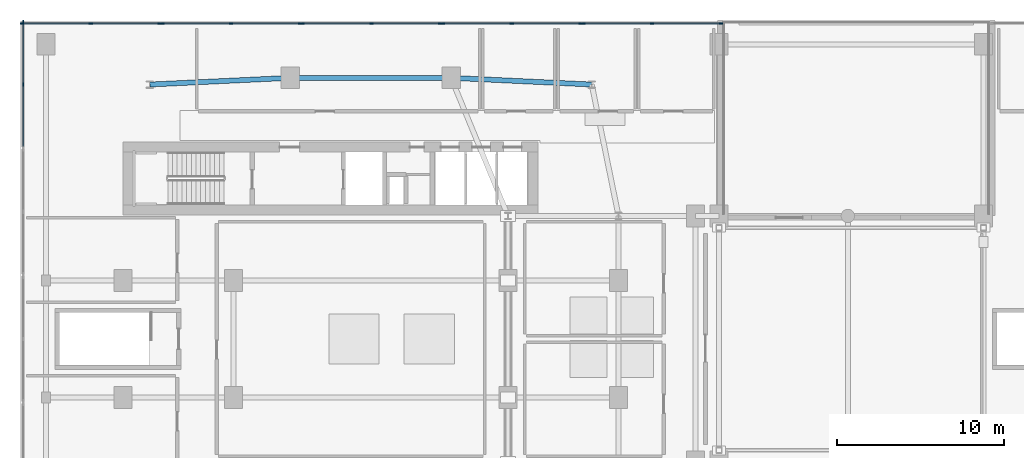
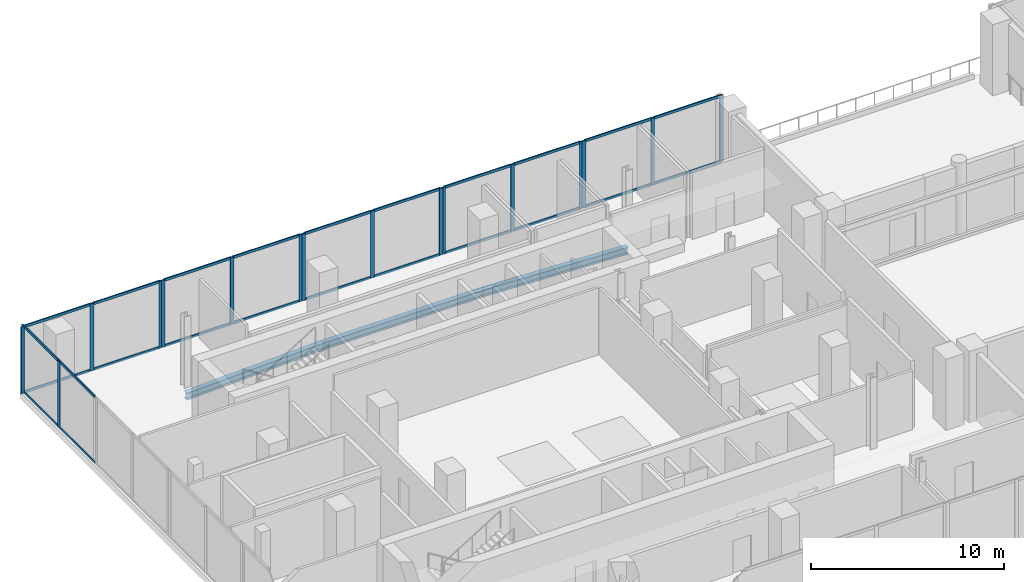
# One storey, part 8 of 21: 41 members, 3 beams, 6 elements without a shape of their own.
"""IFC4 building model written with IfcOpenShell, lengths in metres."""

from ifc_helpers import new_model, si_unit, derived_unit, direction, frame, origin, origin_2d, place, context, subcontext, project, spatial, rectangle, i_section, extrude, material, layer, layer_set, material_profile, profile_set, type_object, element, aggregate, save


model = new_model("IFC4")

# Units and contexts
model_context = context("Model", 3, precision=1e-05, world=origin(), true_north=direction((0.0, 1.0)))
body_context = subcontext(model_context, "Body", "Model", "MODEL_VIEW")
ifc_project = project(units=[si_unit("LENGTHUNIT", "METRE"), si_unit("AREAUNIT", "SQUARE_METRE"), si_unit("VOLUMEUNIT", "CUBIC_METRE"), si_unit("PLANEANGLEUNIT", "RADIAN"), si_unit("MASSUNIT", "GRAM", prefix="KILO"), derived_unit("THERMALTRANSMITTANCEUNIT", [(si_unit("POWERUNIT", "WATT"), 1), (si_unit("LENGTHUNIT", "METRE"), -2), (si_unit("THERMODYNAMICTEMPERATUREUNIT", "KELVIN"), -1)])], contexts=[model_context])

# Site, building, storey
site_placement = place(None, origin())
site = spatial("IfcSite", under=ifc_project, at=site_placement, CompositionType="ELEMENT")
building_placement = place(site_placement, origin())
building = spatial("IfcBuilding", under=site, at=building_placement, Name="Kivonza Crest Hotel", CompositionType="ELEMENT")
storey_placement = place(building_placement, frame((0.0, 0.0, 19.5)))
storey = spatial("IfcBuildingStorey", under=building, at=storey_placement, Name="L04", CompositionType="ELEMENT", Elevation=19.5)

# Beams
ifc_material_1 = material(Name="Steel S355", Category="steel")
ifc_material_profile_1 = material_profile(ifc_material_1, i_section(OverallWidth=0.300048828125, OverallDepth=0.449951171875, WebThickness=0.013916015625, FlangeThickness=0.02587890625, FilletRadius=0.027099609375, at=origin_2d()), Name="HEB 450")
ifc_profile_set_1 = profile_set([ifc_material_profile_1], Name="Steel S355")
beam_type = type_object("IfcBeamType", Name="BM-HEB450", PredefinedType="SPANDREL", material=ifc_profile_set_1)
beam_1_placement = place(storey_placement, frame((34.199951171875, 40.199951171875, -0.625), z_axis=(-0.998867283688, 0.047583080799, 0.0), x_axis=(-0.047583080799, -0.998867283688, 0.0)))
element("IfcBeam", 1, at=beam_1_placement, inside=storey, type_object=beam_type, Name="Tower T1 L04 perimeter spandrel NE-N2", PredefinedType="SPANDREL", context=body_context, shape_type="SweptSolid", body=[
    extrude(i_section(OverallWidth=0.300048828125, OverallDepth=0.449951171875, WebThickness=0.013916015625, FlangeThickness=0.02587890625, FilletRadius=0.027099609375, at=origin_2d()), origin(), (0.0, 0.0, 1.0), 8.409423828125),
])
beam_2_placement = place(storey_placement, frame((25.800048828125, 40.60009765625, -0.625), z_axis=(-1.0, 0.0, 0.0), x_axis=(0.0, -1.0, 0.0)))
element("IfcBeam", 2, at=beam_2_placement, inside=storey, type_object=beam_type, Name="Tower T1 L04 perimeter spandrel N2-N1", PredefinedType="SPANDREL", context=body_context, shape_type="SweptSolid", body=[
    extrude(i_section(OverallWidth=0.300048828125, OverallDepth=0.449951171875, WebThickness=0.013916015625, FlangeThickness=0.02587890625, FilletRadius=0.027099609375, at=origin_2d()), origin(), (0.0, 0.0, 1.0), 9.60009765625),
])
beam_3_placement = place(storey_placement, frame((16.199951171875, 40.60009765625, -0.625), z_axis=(-0.998867283688, -0.047583080799, 0.0), x_axis=(0.047583080799, -0.998867283688, 0.0)))
element("IfcBeam", 3, at=beam_3_placement, inside=storey, type_object=beam_type, Name="Tower T1 L04 perimeter spandrel N1-NW", PredefinedType="SPANDREL", context=body_context, shape_type="SweptSolid", body=[
    extrude(i_section(OverallWidth=0.300048828125, OverallDepth=0.449951171875, WebThickness=0.013916015625, FlangeThickness=0.02587890625, FilletRadius=0.027099609375, at=origin_2d()), origin(), (0.0, 0.0, 1.0), 8.409423828125),
])

# Curtain wall, members
ifc_material_2 = material(Name="Anodised bronze aluminium and low-E double glazing", Category="aluminium")
ifc_layer = layer(ifc_material_2, 0.199951171875)
ifc_layer_set = layer_set([ifc_layer], Name="Anodised bronze aluminium and low-E double glazing")
curtain_wall_type = type_object("IfcCurtainWallType", Name="CW-SYS-6", PredefinedType="NOTDEFINED", material=ifc_layer_set)
curtain_wall_1_placement = place(storey_placement, origin())
curtain_wall_1 = element("IfcCurtainWall", 4, at=curtain_wall_1_placement, inside=storey, type_object=curtain_wall_type, Name="L04 unitised curtain wall CW-POD-L04-31", PredefinedType="NOTDEFINED")
ifc_material_3 = material(Name="Anodised bronze aluminium", Category="aluminium")
ifc_material_profile_2 = material_profile(ifc_material_3, rectangle(XDim=0.074951171875, YDim=0.219970703125, at=origin_2d()), Name="CW-M 75x220")
ifc_profile_set_2 = profile_set([ifc_material_profile_2], Name="Anodised bronze aluminium")
member_type_1 = type_object("IfcMemberType", Name="CW-MUL-75x220", PredefinedType="MULLION", material=ifc_profile_set_2)
member_1_placement = place(storey_placement, frame((41.922607421875, 43.840087890625, 0.0), z_axis=(0.0, 0.0, 1.0), x_axis=(0.0, -1.0, 0.0)))
member_1 = element("IfcMember", 5, at=member_1_placement, type_object=member_type_1, Name="CW-6 mullion 1", PredefinedType="MULLION", context=body_context, shape_type="SweptSolid", body=[
    extrude(rectangle(XDim=0.074951171875, YDim=0.219970703125, at=origin_2d()), origin(), (0.0, 0.0, 1.0), 4.219970703125),
])
member_2_placement = place(storey_placement, frame((37.80810546875, 43.840087890625, 0.0), z_axis=(0.0, 0.0, 1.0), x_axis=(0.0, -1.0, 0.0)))
member_2 = element("IfcMember", 6, at=member_2_placement, type_object=member_type_1, Name="CW-6 mullion 2", PredefinedType="MULLION", context=body_context, shape_type="SweptSolid", body=[
    extrude(rectangle(XDim=0.074951171875, YDim=0.219970703125, at=origin_2d()), origin(), (0.0, 0.0, 1.0), 4.219970703125),
])
member_3_placement = place(storey_placement, frame((33.693603515625, 43.840087890625, 0.0), z_axis=(0.0, 0.0, 1.0), x_axis=(0.0, -1.0, 0.0)))
member_3 = element("IfcMember", 7, at=member_3_placement, type_object=member_type_1, Name="CW-6 mullion 3", PredefinedType="MULLION", context=body_context, shape_type="SweptSolid", body=[
    extrude(rectangle(XDim=0.074951171875, YDim=0.219970703125, at=origin_2d()), origin(), (0.0, 0.0, 1.0), 4.219970703125),
])

curtain_wall_2_placement = place(storey_placement, origin())
curtain_wall_2 = element("IfcCurtainWall", 8, at=curtain_wall_2_placement, inside=storey, type_object=curtain_wall_type, Name="L04 unitised curtain wall CW-POD-L04-32", PredefinedType="NOTDEFINED")
member_4_placement = place(storey_placement, frame((33.53857421875, 43.840087890625, 0.0), z_axis=(0.0, 0.0, 1.0), x_axis=(0.0, -1.0, 0.0)))
member_4 = element("IfcMember", 9, at=member_4_placement, type_object=member_type_1, Name="CW-6 mullion 1", PredefinedType="MULLION", context=body_context, shape_type="SweptSolid", body=[
    extrude(rectangle(XDim=0.074951171875, YDim=0.219970703125, at=origin_2d()), origin(), (0.0, 0.0, 1.0), 4.219970703125),
])
member_5_placement = place(storey_placement, frame((29.424072265625, 43.840087890625, 0.0), z_axis=(0.0, 0.0, 1.0), x_axis=(0.0, -1.0, 0.0)))
member_5 = element("IfcMember", 10, at=member_5_placement, type_object=member_type_1, Name="CW-6 mullion 2", PredefinedType="MULLION", context=body_context, shape_type="SweptSolid", body=[
    extrude(rectangle(XDim=0.074951171875, YDim=0.219970703125, at=origin_2d()), origin(), (0.0, 0.0, 1.0), 4.219970703125),
])
member_6_placement = place(storey_placement, frame((25.3095703125, 43.840087890625, 0.0), z_axis=(0.0, 0.0, 1.0), x_axis=(0.0, -1.0, 0.0)))
member_6 = element("IfcMember", 11, at=member_6_placement, type_object=member_type_1, Name="CW-6 mullion 3", PredefinedType="MULLION", context=body_context, shape_type="SweptSolid", body=[
    extrude(rectangle(XDim=0.074951171875, YDim=0.219970703125, at=origin_2d()), origin(), (0.0, 0.0, 1.0), 4.219970703125),
])

curtain_wall_3_placement = place(storey_placement, origin())
curtain_wall_3 = element("IfcCurtainWall", 12, at=curtain_wall_3_placement, inside=storey, type_object=curtain_wall_type, Name="L04 unitised curtain wall CW-POD-L04-33", PredefinedType="NOTDEFINED")
member_7_placement = place(storey_placement, frame((25.154541015625, 43.840087890625, 0.0), z_axis=(0.0, 0.0, 1.0), x_axis=(0.0, -1.0, 0.0)))
member_7 = element("IfcMember", 13, at=member_7_placement, type_object=member_type_1, Name="CW-6 mullion 1", PredefinedType="MULLION", context=body_context, shape_type="SweptSolid", body=[
    extrude(rectangle(XDim=0.074951171875, YDim=0.219970703125, at=origin_2d()), origin(), (0.0, 0.0, 1.0), 4.219970703125),
])
member_8_placement = place(storey_placement, frame((21.0400390625, 43.840087890625, 0.0), z_axis=(0.0, 0.0, 1.0), x_axis=(0.0, -1.0, 0.0)))
member_8 = element("IfcMember", 14, at=member_8_placement, type_object=member_type_1, Name="CW-6 mullion 2", PredefinedType="MULLION", context=body_context, shape_type="SweptSolid", body=[
    extrude(rectangle(XDim=0.074951171875, YDim=0.219970703125, at=origin_2d()), origin(), (0.0, 0.0, 1.0), 4.219970703125),
])
member_9_placement = place(storey_placement, frame((16.925537109375, 43.840087890625, 0.0), z_axis=(0.0, 0.0, 1.0), x_axis=(0.0, -1.0, 0.0)))
member_9 = element("IfcMember", 15, at=member_9_placement, type_object=member_type_1, Name="CW-6 mullion 3", PredefinedType="MULLION", context=body_context, shape_type="SweptSolid", body=[
    extrude(rectangle(XDim=0.074951171875, YDim=0.219970703125, at=origin_2d()), origin(), (0.0, 0.0, 1.0), 4.219970703125),
])

curtain_wall_4_placement = place(storey_placement, origin())
curtain_wall_4 = element("IfcCurtainWall", 16, at=curtain_wall_4_placement, inside=storey, type_object=curtain_wall_type, Name="L04 unitised curtain wall CW-POD-L04-34", PredefinedType="NOTDEFINED")
member_10_placement = place(storey_placement, frame((16.7705078125, 43.840087890625, 0.0), z_axis=(0.0, 0.0, 1.0), x_axis=(0.0, -1.0, 0.0)))
member_10 = element("IfcMember", 17, at=member_10_placement, type_object=member_type_1, Name="CW-6 mullion 1", PredefinedType="MULLION", context=body_context, shape_type="SweptSolid", body=[
    extrude(rectangle(XDim=0.074951171875, YDim=0.219970703125, at=origin_2d()), origin(), (0.0, 0.0, 1.0), 4.219970703125),
])
member_11_placement = place(storey_placement, frame((12.656005859375, 43.840087890625, 0.0), z_axis=(0.0, 0.0, 1.0), x_axis=(0.0, -1.0, 0.0)))
member_11 = element("IfcMember", 18, at=member_11_placement, type_object=member_type_1, Name="CW-6 mullion 2", PredefinedType="MULLION", context=body_context, shape_type="SweptSolid", body=[
    extrude(rectangle(XDim=0.074951171875, YDim=0.219970703125, at=origin_2d()), origin(), (0.0, 0.0, 1.0), 4.219970703125),
])
member_12_placement = place(storey_placement, frame((8.54150390625, 43.840087890625, 0.0), z_axis=(0.0, 0.0, 1.0), x_axis=(0.0, -1.0, 0.0)))
member_12 = element("IfcMember", 19, at=member_12_placement, type_object=member_type_1, Name="CW-6 mullion 3", PredefinedType="MULLION", context=body_context, shape_type="SweptSolid", body=[
    extrude(rectangle(XDim=0.074951171875, YDim=0.219970703125, at=origin_2d()), origin(), (0.0, 0.0, 1.0), 4.219970703125),
])

curtain_wall_5_placement = place(storey_placement, origin())
curtain_wall_5 = element("IfcCurtainWall", 20, at=curtain_wall_5_placement, inside=storey, type_object=curtain_wall_type, Name="L04 unitised curtain wall CW-POD-L04-35", PredefinedType="NOTDEFINED")
member_13_placement = place(storey_placement, frame((8.386474609375, 43.840087890625, 0.0), z_axis=(0.0, 0.0, 1.0), x_axis=(0.0, -1.0, 0.0)))
member_13 = element("IfcMember", 21, at=member_13_placement, type_object=member_type_1, Name="CW-6 mullion 1", PredefinedType="MULLION", context=body_context, shape_type="SweptSolid", body=[
    extrude(rectangle(XDim=0.074951171875, YDim=0.219970703125, at=origin_2d()), origin(), (0.0, 0.0, 1.0), 4.219970703125),
])
member_14_placement = place(storey_placement, frame((4.27197265625, 43.840087890625, 0.0), z_axis=(0.0, 0.0, 1.0), x_axis=(0.0, -1.0, 0.0)))
member_14 = element("IfcMember", 22, at=member_14_placement, type_object=member_type_1, Name="CW-6 mullion 2", PredefinedType="MULLION", context=body_context, shape_type="SweptSolid", body=[
    extrude(rectangle(XDim=0.074951171875, YDim=0.219970703125, at=origin_2d()), origin(), (0.0, 0.0, 1.0), 4.219970703125),
])
member_15_placement = place(storey_placement, frame((0.157470703125, 43.840087890625, 0.0), z_axis=(0.0, 0.0, 1.0), x_axis=(0.0, -1.0, 0.0)))
member_15 = element("IfcMember", 23, at=member_15_placement, type_object=member_type_1, Name="CW-6 mullion 3", PredefinedType="MULLION", context=body_context, shape_type="SweptSolid", body=[
    extrude(rectangle(XDim=0.074951171875, YDim=0.219970703125, at=origin_2d()), origin(), (0.0, 0.0, 1.0), 4.219970703125),
])

curtain_wall_6_placement = place(storey_placement, origin())
curtain_wall_6 = element("IfcCurtainWall", 24, at=curtain_wall_6_placement, inside=storey, type_object=curtain_wall_type, Name="L04 unitised curtain wall CW-POD-L04-36", PredefinedType="NOTDEFINED")
member_16_placement = place(storey_placement, frame((0.239990234375, 43.922607421875, 0.0), z_axis=(0.0, 0.0, 1.0), x_axis=(1.0, 0.0, 0.0)))
member_16 = element("IfcMember", 25, at=member_16_placement, type_object=member_type_1, Name="CW-6 mullion 1", PredefinedType="MULLION", context=body_context, shape_type="SweptSolid", body=[
    extrude(rectangle(XDim=0.074951171875, YDim=0.219970703125, at=origin_2d()), origin(), (0.0, 0.0, 1.0), 4.219970703125),
])
member_17_placement = place(storey_placement, frame((0.239990234375, 40.199951171875, 0.0), z_axis=(0.0, 0.0, 1.0), x_axis=(1.0, 0.0, 0.0)))
member_17 = element("IfcMember", 26, at=member_17_placement, type_object=member_type_1, Name="CW-6 mullion 2", PredefinedType="MULLION", context=body_context, shape_type="SweptSolid", body=[
    extrude(rectangle(XDim=0.074951171875, YDim=0.219970703125, at=origin_2d()), origin(), (0.0, 0.0, 1.0), 4.219970703125),
])

# Member
ifc_material_profile_3 = material_profile(ifc_material_3, rectangle(XDim=0.074951171875, YDim=0.159912109375, at=origin_2d()), Name="CW-T 75x160")
ifc_profile_set_3 = profile_set([ifc_material_profile_3], Name="Anodised bronze aluminium")
member_type_2 = type_object("IfcMemberType", Name="CW-TRN-75x160", PredefinedType="USERDEFINED", material=ifc_profile_set_3)
member_18_placement = place(storey_placement, frame((41.885009765625, 43.840087890625, 0.03759765625), z_axis=(-1.0, 0.0, 0.0), x_axis=(0.0, -1.0, 0.0)))
member_18 = element("IfcMember", 27, at=member_18_placement, type_object=member_type_2, Name="CW-6 transom 1.1", ObjectType="TRANSOM", PredefinedType="USERDEFINED", context=body_context, shape_type="SweptSolid", body=[
    extrude(rectangle(XDim=0.074951171875, YDim=0.159912109375, at=origin_2d()), origin(), (0.0, 0.0, 1.0), 4.03955078125),
])

member_19_placement = place(storey_placement, frame((41.885009765625, 43.840087890625, 4.1826171875), z_axis=(-1.0, 0.0, 0.0), x_axis=(0.0, -1.0, 0.0)))
member_19 = element("IfcMember", 28, at=member_19_placement, type_object=member_type_2, Name="CW-6 transom 1.2", ObjectType="TRANSOM", PredefinedType="USERDEFINED", context=body_context, shape_type="SweptSolid", body=[
    extrude(rectangle(XDim=0.074951171875, YDim=0.159912109375, at=origin_2d()), origin(), (0.0, 0.0, 1.0), 4.03955078125),
])

member_20_placement = place(storey_placement, frame((37.7705078125, 43.840087890625, 0.03759765625), z_axis=(-1.0, 0.0, 0.0), x_axis=(0.0, -1.0, 0.0)))
member_20 = element("IfcMember", 29, at=member_20_placement, type_object=member_type_2, Name="CW-6 transom 2.1", ObjectType="TRANSOM", PredefinedType="USERDEFINED", context=body_context, shape_type="SweptSolid", body=[
    extrude(rectangle(XDim=0.074951171875, YDim=0.159912109375, at=origin_2d()), origin(), (0.0, 0.0, 1.0), 4.03955078125),
])

member_21_placement = place(storey_placement, frame((37.7705078125, 43.840087890625, 4.1826171875), z_axis=(-1.0, 0.0, 0.0), x_axis=(0.0, -1.0, 0.0)))
member_21 = element("IfcMember", 30, at=member_21_placement, type_object=member_type_2, Name="CW-6 transom 2.2", ObjectType="TRANSOM", PredefinedType="USERDEFINED", context=body_context, shape_type="SweptSolid", body=[
    extrude(rectangle(XDim=0.074951171875, YDim=0.159912109375, at=origin_2d()), origin(), (0.0, 0.0, 1.0), 4.03955078125),
])

aggregate(curtain_wall_1, [member_1, member_2, member_3, member_18, member_19, member_20, member_21])

member_22_placement = place(storey_placement, frame((33.5009765625, 43.840087890625, 0.03759765625), z_axis=(-1.0, 0.0, 0.0), x_axis=(0.0, -1.0, 0.0)))
member_22 = element("IfcMember", 31, at=member_22_placement, type_object=member_type_2, Name="CW-6 transom 1.1", ObjectType="TRANSOM", PredefinedType="USERDEFINED", context=body_context, shape_type="SweptSolid", body=[
    extrude(rectangle(XDim=0.074951171875, YDim=0.159912109375, at=origin_2d()), origin(), (0.0, 0.0, 1.0), 4.03955078125),
])

member_23_placement = place(storey_placement, frame((33.5009765625, 43.840087890625, 4.1826171875), z_axis=(-1.0, 0.0, 0.0), x_axis=(0.0, -1.0, 0.0)))
member_23 = element("IfcMember", 32, at=member_23_placement, type_object=member_type_2, Name="CW-6 transom 1.2", ObjectType="TRANSOM", PredefinedType="USERDEFINED", context=body_context, shape_type="SweptSolid", body=[
    extrude(rectangle(XDim=0.074951171875, YDim=0.159912109375, at=origin_2d()), origin(), (0.0, 0.0, 1.0), 4.03955078125),
])

member_24_placement = place(storey_placement, frame((29.386474609375, 43.840087890625, 0.03759765625), z_axis=(-1.0, 0.0, 0.0), x_axis=(0.0, -1.0, 0.0)))
member_24 = element("IfcMember", 33, at=member_24_placement, type_object=member_type_2, Name="CW-6 transom 2.1", ObjectType="TRANSOM", PredefinedType="USERDEFINED", context=body_context, shape_type="SweptSolid", body=[
    extrude(rectangle(XDim=0.074951171875, YDim=0.159912109375, at=origin_2d()), origin(), (0.0, 0.0, 1.0), 4.03955078125),
])

member_25_placement = place(storey_placement, frame((29.386474609375, 43.840087890625, 4.1826171875), z_axis=(-1.0, 0.0, 0.0), x_axis=(0.0, -1.0, 0.0)))
member_25 = element("IfcMember", 34, at=member_25_placement, type_object=member_type_2, Name="CW-6 transom 2.2", ObjectType="TRANSOM", PredefinedType="USERDEFINED", context=body_context, shape_type="SweptSolid", body=[
    extrude(rectangle(XDim=0.074951171875, YDim=0.159912109375, at=origin_2d()), origin(), (0.0, 0.0, 1.0), 4.03955078125),
])

aggregate(curtain_wall_2, [member_4, member_5, member_6, member_22, member_23, member_24, member_25])

member_26_placement = place(storey_placement, frame((25.116943359375, 43.840087890625, 0.03759765625), z_axis=(-1.0, 0.0, 0.0), x_axis=(0.0, -1.0, 0.0)))
member_26 = element("IfcMember", 35, at=member_26_placement, type_object=member_type_2, Name="CW-6 transom 1.1", ObjectType="TRANSOM", PredefinedType="USERDEFINED", context=body_context, shape_type="SweptSolid", body=[
    extrude(rectangle(XDim=0.074951171875, YDim=0.159912109375, at=origin_2d()), origin(), (0.0, 0.0, 1.0), 4.03955078125),
])

member_27_placement = place(storey_placement, frame((25.116943359375, 43.840087890625, 4.1826171875), z_axis=(-1.0, 0.0, 0.0), x_axis=(0.0, -1.0, 0.0)))
member_27 = element("IfcMember", 36, at=member_27_placement, type_object=member_type_2, Name="CW-6 transom 1.2", ObjectType="TRANSOM", PredefinedType="USERDEFINED", context=body_context, shape_type="SweptSolid", body=[
    extrude(rectangle(XDim=0.074951171875, YDim=0.159912109375, at=origin_2d()), origin(), (0.0, 0.0, 1.0), 4.03955078125),
])

member_28_placement = place(storey_placement, frame((21.00244140625, 43.840087890625, 0.03759765625), z_axis=(-1.0, 0.0, 0.0), x_axis=(0.0, -1.0, 0.0)))
member_28 = element("IfcMember", 37, at=member_28_placement, type_object=member_type_2, Name="CW-6 transom 2.1", ObjectType="TRANSOM", PredefinedType="USERDEFINED", context=body_context, shape_type="SweptSolid", body=[
    extrude(rectangle(XDim=0.074951171875, YDim=0.159912109375, at=origin_2d()), origin(), (0.0, 0.0, 1.0), 4.03955078125),
])

member_29_placement = place(storey_placement, frame((21.00244140625, 43.840087890625, 4.1826171875), z_axis=(-1.0, 0.0, 0.0), x_axis=(0.0, -1.0, 0.0)))
member_29 = element("IfcMember", 38, at=member_29_placement, type_object=member_type_2, Name="CW-6 transom 2.2", ObjectType="TRANSOM", PredefinedType="USERDEFINED", context=body_context, shape_type="SweptSolid", body=[
    extrude(rectangle(XDim=0.074951171875, YDim=0.159912109375, at=origin_2d()), origin(), (0.0, 0.0, 1.0), 4.03955078125),
])

aggregate(curtain_wall_3, [member_7, member_8, member_9, member_26, member_27, member_28, member_29])

member_30_placement = place(storey_placement, frame((16.73291015625, 43.840087890625, 0.03759765625), z_axis=(-1.0, 0.0, 0.0), x_axis=(0.0, -1.0, 0.0)))
member_30 = element("IfcMember", 39, at=member_30_placement, type_object=member_type_2, Name="CW-6 transom 1.1", ObjectType="TRANSOM", PredefinedType="USERDEFINED", context=body_context, shape_type="SweptSolid", body=[
    extrude(rectangle(XDim=0.074951171875, YDim=0.159912109375, at=origin_2d()), origin(), (0.0, 0.0, 1.0), 4.039306640625),
])

member_31_placement = place(storey_placement, frame((16.73291015625, 43.840087890625, 4.1826171875), z_axis=(-1.0, 0.0, 0.0), x_axis=(0.0, -1.0, 0.0)))
member_31 = element("IfcMember", 40, at=member_31_placement, type_object=member_type_2, Name="CW-6 transom 1.2", ObjectType="TRANSOM", PredefinedType="USERDEFINED", context=body_context, shape_type="SweptSolid", body=[
    extrude(rectangle(XDim=0.074951171875, YDim=0.159912109375, at=origin_2d()), origin(), (0.0, 0.0, 1.0), 4.039306640625),
])

member_32_placement = place(storey_placement, frame((12.618408203125, 43.840087890625, 0.03759765625), z_axis=(-1.0, 0.0, 0.0), x_axis=(0.0, -1.0, 0.0)))
member_32 = element("IfcMember", 41, at=member_32_placement, type_object=member_type_2, Name="CW-6 transom 2.1", ObjectType="TRANSOM", PredefinedType="USERDEFINED", context=body_context, shape_type="SweptSolid", body=[
    extrude(rectangle(XDim=0.074951171875, YDim=0.159912109375, at=origin_2d()), origin(), (0.0, 0.0, 1.0), 4.039306640625),
])

member_33_placement = place(storey_placement, frame((12.618408203125, 43.840087890625, 4.1826171875), z_axis=(-1.0, 0.0, 0.0), x_axis=(0.0, -1.0, 0.0)))
member_33 = element("IfcMember", 42, at=member_33_placement, type_object=member_type_2, Name="CW-6 transom 2.2", ObjectType="TRANSOM", PredefinedType="USERDEFINED", context=body_context, shape_type="SweptSolid", body=[
    extrude(rectangle(XDim=0.074951171875, YDim=0.159912109375, at=origin_2d()), origin(), (0.0, 0.0, 1.0), 4.039306640625),
])

aggregate(curtain_wall_4, [member_10, member_11, member_12, member_30, member_31, member_32, member_33])

member_34_placement = place(storey_placement, frame((8.34912109375, 43.840087890625, 0.03759765625), z_axis=(-1.0, 0.0, 0.0), x_axis=(0.0, -1.0, 0.0)))
member_34 = element("IfcMember", 43, at=member_34_placement, type_object=member_type_2, Name="CW-6 transom 1.1", ObjectType="TRANSOM", PredefinedType="USERDEFINED", context=body_context, shape_type="SweptSolid", body=[
    extrude(rectangle(XDim=0.074951171875, YDim=0.159912109375, at=origin_2d()), origin(), (0.0, 0.0, 1.0), 4.03955078125),
])

member_35_placement = place(storey_placement, frame((8.34912109375, 43.840087890625, 4.1826171875), z_axis=(-1.0, 0.0, 0.0), x_axis=(0.0, -1.0, 0.0)))
member_35 = element("IfcMember", 44, at=member_35_placement, type_object=member_type_2, Name="CW-6 transom 1.2", ObjectType="TRANSOM", PredefinedType="USERDEFINED", context=body_context, shape_type="SweptSolid", body=[
    extrude(rectangle(XDim=0.074951171875, YDim=0.159912109375, at=origin_2d()), origin(), (0.0, 0.0, 1.0), 4.03955078125),
])

member_36_placement = place(storey_placement, frame((4.234619140625, 43.840087890625, 0.03759765625), z_axis=(-1.0, 0.0, 0.0), x_axis=(0.0, -1.0, 0.0)))
member_36 = element("IfcMember", 45, at=member_36_placement, type_object=member_type_2, Name="CW-6 transom 2.1", ObjectType="TRANSOM", PredefinedType="USERDEFINED", context=body_context, shape_type="SweptSolid", body=[
    extrude(rectangle(XDim=0.074951171875, YDim=0.159912109375, at=origin_2d()), origin(), (0.0, 0.0, 1.0), 4.03955078125),
])

member_37_placement = place(storey_placement, frame((4.234619140625, 43.840087890625, 4.1826171875), z_axis=(-1.0, 0.0, 0.0), x_axis=(0.0, -1.0, 0.0)))
member_37 = element("IfcMember", 46, at=member_37_placement, type_object=member_type_2, Name="CW-6 transom 2.2", ObjectType="TRANSOM", PredefinedType="USERDEFINED", context=body_context, shape_type="SweptSolid", body=[
    extrude(rectangle(XDim=0.074951171875, YDim=0.159912109375, at=origin_2d()), origin(), (0.0, 0.0, 1.0), 4.03955078125),
])

aggregate(curtain_wall_5, [member_13, member_14, member_15, member_34, member_35, member_36, member_37])

member_38_placement = place(storey_placement, frame((0.239990234375, 43.885009765625, 0.03759765625), z_axis=(0.0, -1.0, 0.0), x_axis=(1.0, 0.0, 0.0)))
member_38 = element("IfcMember", 47, at=member_38_placement, type_object=member_type_2, Name="CW-6 transom 1.1", ObjectType="TRANSOM", PredefinedType="USERDEFINED", context=body_context, shape_type="SweptSolid", body=[
    extrude(rectangle(XDim=0.074951171875, YDim=0.159912109375, at=origin_2d()), origin(), (0.0, 0.0, 1.0), 3.6474609375),
])

member_39_placement = place(storey_placement, frame((0.239990234375, 43.885009765625, 4.1826171875), z_axis=(0.0, -1.0, 0.0), x_axis=(1.0, 0.0, 0.0)))
member_39 = element("IfcMember", 48, at=member_39_placement, type_object=member_type_2, Name="CW-6 transom 1.2", ObjectType="TRANSOM", PredefinedType="USERDEFINED", context=body_context, shape_type="SweptSolid", body=[
    extrude(rectangle(XDim=0.074951171875, YDim=0.159912109375, at=origin_2d()), origin(), (0.0, 0.0, 1.0), 3.6474609375),
])

member_40_placement = place(storey_placement, frame((0.239990234375, 40.16259765625, 0.03759765625), z_axis=(0.0, -1.0, 0.0), x_axis=(1.0, 0.0, 0.0)))
member_40 = element("IfcMember", 49, at=member_40_placement, type_object=member_type_2, Name="CW-6 transom 2.1", ObjectType="TRANSOM", PredefinedType="USERDEFINED", context=body_context, shape_type="SweptSolid", body=[
    extrude(rectangle(XDim=0.074951171875, YDim=0.159912109375, at=origin_2d()), origin(), (0.0, 0.0, 1.0), 3.647705078125),
])

member_41_placement = place(storey_placement, frame((0.239990234375, 40.16259765625, 4.1826171875), z_axis=(0.0, -1.0, 0.0), x_axis=(1.0, 0.0, 0.0)))
member_41 = element("IfcMember", 50, at=member_41_placement, type_object=member_type_2, Name="CW-6 transom 2.2", ObjectType="TRANSOM", PredefinedType="USERDEFINED", context=body_context, shape_type="SweptSolid", body=[
    extrude(rectangle(XDim=0.074951171875, YDim=0.159912109375, at=origin_2d()), origin(), (0.0, 0.0, 1.0), 3.647705078125),
])

aggregate(curtain_wall_6, [member_16, member_17, member_38, member_39, member_40, member_41])

save(model, "model.ifc")
